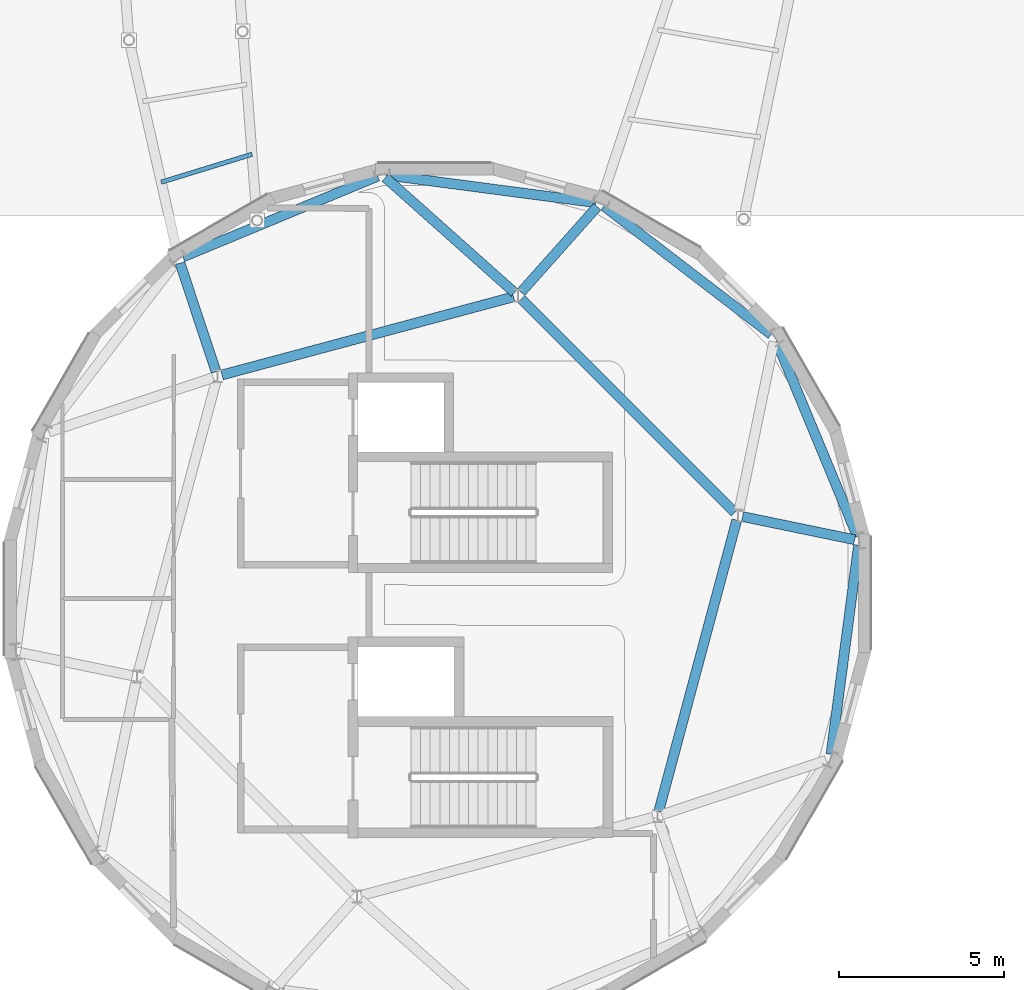
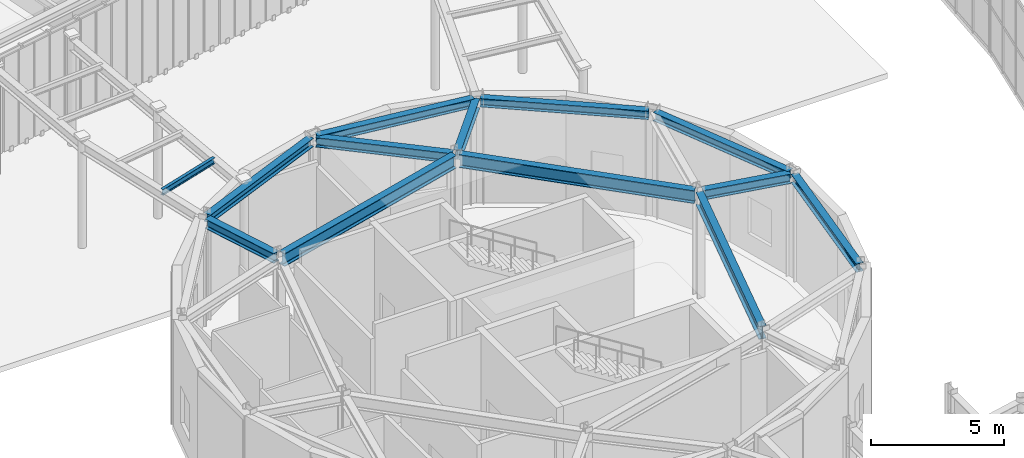
# One storey, part 33 of 97: 13 beams.
"""IFC4 building model written with IfcOpenShell, lengths in metres."""

from ifc_helpers import new_model, si_unit, direction, frame, origin, origin_2d, place, context, subcontext, project, spatial, i_section, extrude, material, material_profile, profile_set, type_object, element, save


model = new_model("IFC4")

# Units and contexts
model_context = context("Model", 3, precision=1e-05, world=origin(), true_north=direction((0.0, 1.0)))
body_context = subcontext(model_context, "Body", "Model", "MODEL_VIEW")
ifc_project = project(units=[si_unit("LENGTHUNIT", "METRE"), si_unit("AREAUNIT", "SQUARE_METRE"), si_unit("VOLUMEUNIT", "CUBIC_METRE"), si_unit("PLANEANGLEUNIT", "RADIAN"), si_unit("MASSUNIT", "GRAM", prefix="KILO")], contexts=[model_context])

# Site, building, storey
site_placement = place(None, origin())
site = spatial("IfcSite", under=ifc_project, at=site_placement, CompositionType="ELEMENT")
building_placement = place(site_placement, origin())
building = spatial("IfcBuilding", under=site, at=building_placement, Name="Varnklinge Art Gallery", CompositionType="ELEMENT")
storey_placement = place(building_placement, origin())
storey = spatial("IfcBuildingStorey", under=building, at=storey_placement, Name="L00", CompositionType="ELEMENT", Elevation=0.0)

# Beams
ifc_material_1 = material(Name="Steel S355", Category="steel")
ifc_material_profile_1 = material_profile(ifc_material_1, i_section(OverallWidth=0.300048828125, OverallDepth=0.590087890625, WebThickness=0.012939453125, FlangeThickness=0.02490234375, FilletRadius=0.027099609375, at=origin_2d()), Name="HEA 600")
ifc_profile_set_1 = profile_set([ifc_material_profile_1], Name="Steel S355")
beam_type_1 = type_object("IfcBeamType", Name="BM-06", PredefinedType="BEAM", material=ifc_profile_set_1)
beam_1_placement = place(storey_placement, frame((84.480712890625, 41.031982421875, 4.5849609375), z_axis=(-0.707106781187, 0.707106781187, 0.0), x_axis=(-0.707106781187, -0.707106781187, 0.0)))
element("IfcBeam", 1, at=beam_1_placement, inside=storey, type_object=beam_type_1, Name="L00 BM-06 BM-V4D-L01-I1", PredefinedType="BEAM", context=body_context, shape_type="SweptSolid", body=[
    extrude(i_section(OverallWidth=0.300048828125, OverallDepth=0.590087890625, WebThickness=0.012939453125, FlangeThickness=0.02490234375, FilletRadius=0.027099609375, at=origin_2d()), origin(), (0.0, 0.0, 1.0), 9.119873046875),
])
for number, where, z_axis, x_axis, name in (
    (2, (77.797607421875, 47.54345703125, 4.5849609375), (-0.965928574877, -0.258808787016, 0.0), (0.258808787016, -0.965928574877, 0.0), "L00 BM-06 BM-V4D-L01-I2"),
    (3, (82.18310546875, 31.98828125, 4.5849609375), (0.258808787016, 0.965928574877, 0.0), (-0.965928574877, 0.258808787016, 0.0), "L00 BM-06 BM-V4D-L01-I6"),
):
    element("IfcBeam", number, at=place(storey_placement, frame(where, z_axis=z_axis, x_axis=x_axis)), inside=storey, type_object=beam_type_1, Name=name, PredefinedType="BEAM", context=body_context, shape_type="SweptSolid", body=[
        extrude(i_section(OverallWidth=0.300048828125, OverallDepth=0.590087890625, WebThickness=0.012939453125, FlangeThickness=0.02490234375, FilletRadius=0.027099609375, at=origin_2d()), origin(), (0.0, 0.0, 1.0), 9.1201171875),
    ])
ifc_material_2 = material(Name="Steel S355", Category="steel")
ifc_material_profile_2 = material_profile(ifc_material_2, i_section(OverallWidth=0.300048828125, OverallDepth=0.43994140625, WebThickness=0.011474609375, FlangeThickness=0.02099609375, FilletRadius=0.027099609375, at=origin_2d()), Name="HEA 450")
ifc_profile_set_2 = profile_set([ifc_material_profile_2], Name="Steel S355")
beam_type_2 = type_object("IfcBeamType", Name="BM-08", PredefinedType="BEAM", material=ifc_profile_set_2)
beam_2_placement = place(storey_placement, frame((84.716796875, 40.904541015625, 4.659912109375), z_axis=(0.979353549328, -0.202154953982, 0.0), x_axis=(0.202154953982, 0.979353549328, 0.0)))
element("IfcBeam", 4, at=beam_2_placement, inside=storey, type_object=beam_type_2, Name="L00 BM-08 BM-V4D-L01-R01", PredefinedType="BEAM", context=body_context, shape_type="SweptSolid", body=[
    extrude(i_section(OverallWidth=0.300048828125, OverallDepth=0.43994140625, WebThickness=0.011474609375, FlangeThickness=0.02099609375, FilletRadius=0.027099609375, at=origin_2d()), origin(), (0.0, 0.0, 1.0), 3.45751953125),
])
beam_3_placement = place(storey_placement, frame((78.02587890625, 47.684326171875, 4.659912109375), z_axis=(0.664780083084, 0.747039116201, 0.0), x_axis=(-0.747039116201, 0.664780083084, 0.0)))
element("IfcBeam", 5, at=beam_3_placement, inside=storey, type_object=beam_type_2, Name="L00 BM-08 BM-V4D-L01-R03", PredefinedType="BEAM", context=body_context, shape_type="SweptSolid", body=[
    extrude(i_section(OverallWidth=0.300048828125, OverallDepth=0.43994140625, WebThickness=0.011474609375, FlangeThickness=0.02099609375, FilletRadius=0.027099609375, at=origin_2d()), origin(), (0.0, 0.0, 1.0), 3.457763671875),
])
beam_4_placement = place(storey_placement, frame((77.828369140625, 47.6728515625, 4.659912109375), z_axis=(-0.746795307155, 0.665053959623, 0.0), x_axis=(-0.665053959623, -0.746795307155, 0.0)))
element("IfcBeam", 6, at=beam_4_placement, inside=storey, type_object=beam_type_2, Name="L00 BM-08 BM-V4D-L01-R04", PredefinedType="BEAM", context=body_context, shape_type="SweptSolid", body=[
    extrude(i_section(OverallWidth=0.300048828125, OverallDepth=0.43994140625, WebThickness=0.011474609375, FlangeThickness=0.02099609375, FilletRadius=0.027099609375, at=origin_2d()), origin(), (0.0, 0.0, 1.0), 5.223876953125),
])
beam_5_placement = place(storey_placement, frame((68.80908203125, 45.27978515625, 4.659912109375), z_axis=(-0.314574973389, 0.949232630137, 0.0), x_axis=(-0.949232630137, -0.314574973389, 0.0)))
element("IfcBeam", 7, at=beam_5_placement, inside=storey, type_object=beam_type_2, Name="L00 BM-08 BM-V4D-L01-R05", PredefinedType="BEAM", context=body_context, shape_type="SweptSolid", body=[
    extrude(i_section(OverallWidth=0.300048828125, OverallDepth=0.43994140625, WebThickness=0.011474609375, FlangeThickness=0.02099609375, FilletRadius=0.027099609375, at=origin_2d()), origin(), (0.0, 0.0, 1.0), 3.45751953125),
])
ifc_material_3 = material(Name="Steel S355", Category="steel")
ifc_material_profile_3 = material_profile(ifc_material_3, i_section(OverallWidth=0.135009765625, OverallDepth=0.27001953125, WebThickness=0.006591796875, FlangeThickness=0.01025390625, FilletRadius=0.014892578125, at=origin_2d()), Name="IPE 270")
ifc_profile_set_3 = profile_set([ifc_material_profile_3], Name="Steel S355")
beam_type_3 = type_object("IfcBeamType", Name="JST-09", PredefinedType="JOIST", material=ifc_profile_set_3)
beam_6_placement = place(storey_placement, frame((69.895751953125, 51.85107421875, 4.7451171875), z_axis=(-0.955793724143, -0.294038019462, 0.0), x_axis=(0.294038019462, -0.955793724143, 0.0)))
element("IfcBeam", 8, at=beam_6_placement, inside=storey, type_object=beam_type_3, Name="L00 JST-09 JST-BRG-1-1", PredefinedType="JOIST", context=body_context, shape_type="SweptSolid", body=[
    extrude(i_section(OverallWidth=0.135009765625, OverallDepth=0.27001953125, WebThickness=0.006591796875, FlangeThickness=0.01025390625, FilletRadius=0.014892578125, at=origin_2d()), origin(), (0.0, 0.0, 1.0), 2.86962890625),
])
ifc_material_4 = material(Name="Steel S355", Category="steel")
ifc_material_profile_4 = material_profile(ifc_material_4, i_section(OverallWidth=0.300048828125, OverallDepth=0.389892578125, WebThickness=0.010986328125, FlangeThickness=0.01904296875, FilletRadius=0.027099609375, at=origin_2d()), Name="HEA 400")
ifc_profile_set_4 = profile_set([ifc_material_profile_4], Name="Steel S355")
beam_type_4 = type_object("IfcBeamType", Name="SPB-03", PredefinedType="SPANDREL", material=ifc_profile_set_4)
for number, where, z_axis, x_axis, name in (
    (9, (88.1865234375, 40.306640625, 4.68505859375), (-0.382666510137, 0.923886541746, 0.0), (-0.923886541746, -0.382666510137, 0.0), "L00 SPB-03 BM-V4D-L01-P01"),
    (10, (85.58349609375, 46.40771484375, 4.68505859375), (-0.793344185287, 0.608773359857, 0.0), (-0.608773359857, -0.793344185287, 0.0), "L00 SPB-03 BM-V4D-L01-P02"),
):
    element("IfcBeam", number, at=place(storey_placement, frame(where, z_axis=z_axis, x_axis=x_axis)), inside=storey, type_object=beam_type_4, Name=name, PredefinedType="SPANDREL", context=body_context, shape_type="SweptSolid", body=[
        extrude(i_section(OverallWidth=0.300048828125, OverallDepth=0.389892578125, WebThickness=0.010986328125, FlangeThickness=0.01904296875, FilletRadius=0.027099609375, at=origin_2d()), origin(), (0.0, 0.0, 1.0), 6.37158203125),
    ])
beam_7_placement = place(storey_placement, frame((80.27880859375, 50.39013671875, 4.68505859375), z_axis=(-0.991448034575, 0.130502087099, 0.0), x_axis=(-0.130502087099, -0.991448034575, 0.0)))
element("IfcBeam", 11, at=beam_7_placement, inside=storey, type_object=beam_type_4, Name="L00 SPB-03 BM-V4D-L01-P03", PredefinedType="SPANDREL", context=body_context, shape_type="SweptSolid", body=[
    extrude(i_section(OverallWidth=0.300048828125, OverallDepth=0.389892578125, WebThickness=0.010986328125, FlangeThickness=0.01904296875, FilletRadius=0.027099609375, at=origin_2d()), origin(), (0.0, 0.0, 1.0), 6.371826171875),
])
beam_8_placement = place(storey_placement, frame((73.693359375, 51.1865234375, 4.68505859375), z_axis=(-0.923886541746, -0.382666510137, 0.0), x_axis=(0.382666510137, -0.923886541746, 0.0)))
element("IfcBeam", 12, at=beam_8_placement, inside=storey, type_object=beam_type_4, Name="L00 SPB-03 BM-V4D-L01-P04", PredefinedType="SPANDREL", context=body_context, shape_type="SweptSolid", body=[
    extrude(i_section(OverallWidth=0.300048828125, OverallDepth=0.389892578125, WebThickness=0.010986328125, FlangeThickness=0.01904296875, FilletRadius=0.027099609375, at=origin_2d()), origin(), (0.0, 0.0, 1.0), 6.37158203125),
])
beam_9_placement = place(storey_placement, frame((87.39013671875, 33.72119140625, 4.68505859375), z_axis=(0.130502087099, 0.991448034575, 0.0), x_axis=(-0.991448034575, 0.130502087099, 0.0)))
element("IfcBeam", 13, at=beam_9_placement, inside=storey, type_object=beam_type_4, Name="L00 SPB-03 BM-V4D-L01-P12", PredefinedType="SPANDREL", context=body_context, shape_type="SweptSolid", body=[
    extrude(i_section(OverallWidth=0.300048828125, OverallDepth=0.389892578125, WebThickness=0.010986328125, FlangeThickness=0.01904296875, FilletRadius=0.027099609375, at=origin_2d()), origin(), (0.0, 0.0, 1.0), 6.371826171875),
])

save(model, "model.ifc")
